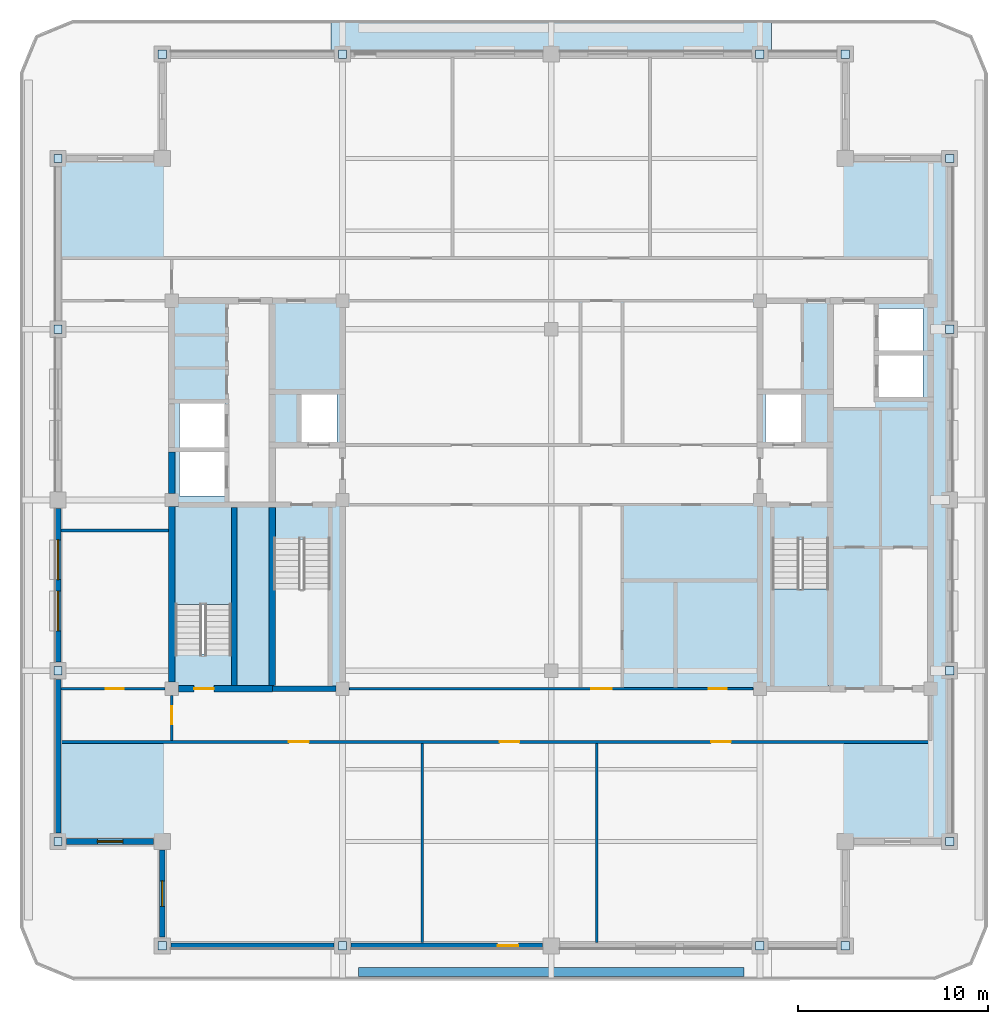
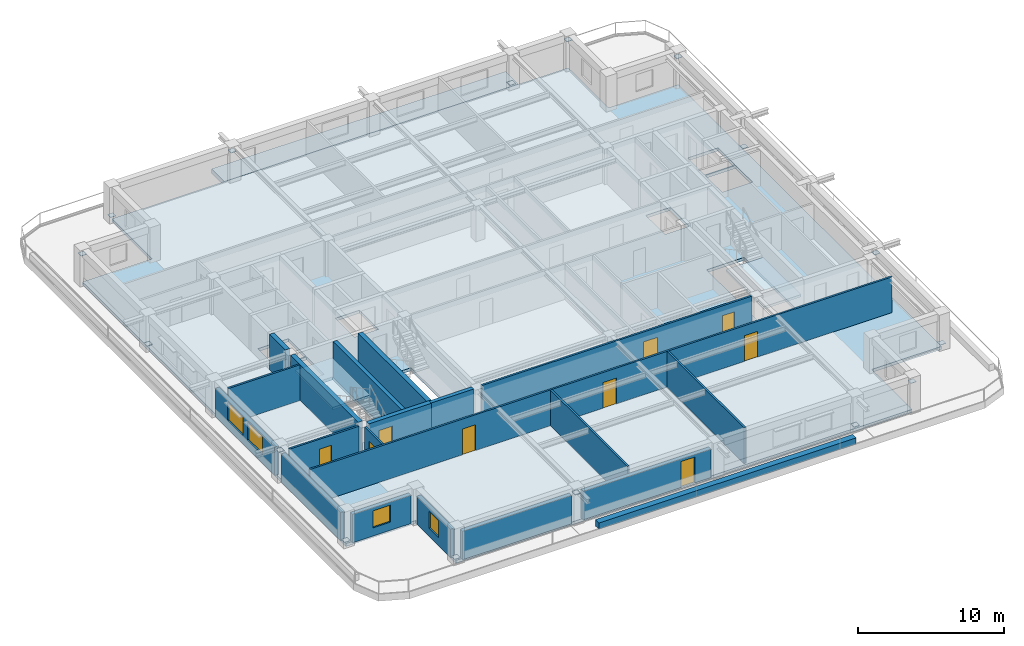
# One storey, part 2 of 11: 20 walls, 16 plates, 9 doors, 4 slabs, 4 windows, 13 openings, 2 elements without a shape of their own.
"""IFC4 building model written with IfcOpenShell, lengths in metres."""

from ifc_helpers import new_model, si_unit, direction, frame, frame_2d, origin, origin_2d, place, context, subcontext, project, spatial, polyline, rectangle, outline, extrude, material, layer, layer_set, type_object, element, fill, aggregate, save


model = new_model("IFC4")

# Units and contexts
model_context = context("Model", 3, precision=1e-05, world=origin(), true_north=direction((0.0, 1.0)))
body_context = subcontext(model_context, "Body", "Model", "MODEL_VIEW")
ifc_project = project(units=[si_unit("LENGTHUNIT", "METRE"), si_unit("AREAUNIT", "SQUARE_METRE"), si_unit("VOLUMEUNIT", "CUBIC_METRE"), si_unit("PLANEANGLEUNIT", "RADIAN"), si_unit("MASSUNIT", "GRAM", prefix="KILO")], contexts=[model_context])

# Site, building, storey
site_placement = place(None, origin())
site = spatial("IfcSite", under=ifc_project, at=site_placement, CompositionType="ELEMENT")
building_placement = place(site_placement, origin())
building = spatial("IfcBuilding", under=site, at=building_placement, Name="Zulmaris Gate Convention Tower", CompositionType="ELEMENT")
storey_placement = place(building_placement, frame((0.0, 0.0, 257.659912109375)))
storey = spatial("IfcBuildingStorey", under=building, at=storey_placement, Name="L68", CompositionType="ELEMENT", Elevation=257.659912109375)

# Plates
ifc_material_1 = material(Name="Steel S460", Category="steel")
ifc_layer_1 = layer(ifc_material_1, 0.02490234375, Name="Steel S460")
ifc_layer_set_1 = layer_set([ifc_layer_1], Name="Steel S460")
plate_type = type_object("IfcPlateType", Name="NP-CAP-440", PredefinedType="USERDEFINED", material=ifc_layer_set_1)
for number, where, z_axis, x_axis, name in (
    (1, (-26.0, -18.0, 0.28759765625), (0.0, 0.0, 1.0), (1.0, 0.0, 0.0), "L68 Steel Node Plate PBR-L68-SW-W-CAP"),
    (2, (-26.0, -9.0, 2.34765625), (0.0, 0.0, 1.0), (1.0, 0.0, 0.0), "L68 Steel Node Plate PBR-L68-SW-W-CAPB"),
    (3, (-26.0, 9.0, 0.28759765625), (0.0, 0.0, 1.0), (1.0, 0.0, 0.0), "L68 Steel Node Plate PBR-L68-NW-W-CAP"),
    (4, (-26.0, 18.0, 2.34765625), (0.0, 0.0, 1.0), (1.0, 0.0, 0.0), "L68 Steel Node Plate PBR-L68-NW-W-CAPB"),
    (5, (21.0, -18.0, 0.28759765625), (0.0, 0.0, 1.0), (1.0, 0.0, 0.0), "L68 Steel Node Plate PBR-L68-SE-E-CAP"),
    (6, (21.0, -9.0, 2.34765625), (0.0, 0.0, 1.0), (1.0, 0.0, 0.0), "L68 Steel Node Plate PBR-L68-SE-E-CAPB"),
    (7, (21.0, 9.0, 0.28759765625), (0.0, 0.0, 1.0), (1.0, 0.0, 0.0), "L68 Steel Node Plate PBR-L68-NE-E-CAP"),
    (8, (21.0, 18.0, 2.34765625), (0.0, 0.0, 1.0), (1.0, 0.0, 0.0), "L68 Steel Node Plate PBR-L68-NE-E-CAPB"),
    (9, (-20.5, -23.5, 0.28759765625), (0.0, 0.0, 1.0), (1.0, 0.0, 0.0), "L68 Steel Node Plate PBR-L68-SW-S-CAP"),
    (10, (-11.0, -23.5, 2.34765625), (0.0, 0.0, 1.0), (1.0, 0.0, 0.0), "L68 Steel Node Plate PBR-L68-SW-S-CAPB"),
    (11, (11.0, -23.5, 0.28759765625), (0.0, 0.0, 1.0), (1.0, 0.0, 0.0), "L68 Steel Node Plate PBR-L68-SE-S-CAP"),
    (12, (15.5, -23.5, 2.34765625), (0.0, 0.0, 1.0), (1.0, 0.0, 0.0), "L68 Steel Node Plate PBR-L68-SE-S-CAPB"),
    (13, (-20.5, 23.5, 0.28759765625), (0.0, 0.0, 1.0), (1.0, 0.0, 0.0), "L68 Steel Node Plate PBR-L68-NW-N-CAP"),
    (14, (-11.0, 23.5, 2.34765625), (0.0, 0.0, 1.0), (1.0, 0.0, 0.0), "L68 Steel Node Plate PBR-L68-NW-N-CAPB"),
    (15, (11.0, 23.5, 0.28759765625), (0.0, 0.0, 1.0), (1.0, 0.0, 0.0), "L68 Steel Node Plate PBR-L68-NE-N-CAP"),
    (16, (15.5, 23.5, 2.34765625), (0.0, 0.0, 1.0), (1.0, 0.0, 0.0), "L68 Steel Node Plate PBR-L68-NE-N-CAPB"),
):
    element("IfcPlate", number, at=place(storey_placement, frame(where, z_axis=z_axis, x_axis=x_axis)), inside=storey, type_object=plate_type, Name=name, ObjectType="FLANGE PLATE", PredefinedType="USERDEFINED", context=body_context, shape_type="SweptSolid", body=[
        extrude(rectangle(XDim=0.43994140625, YDim=0.43994140625, at=origin_2d()), origin(), (0.0, 0.0, 1.0), 0.02490234375),
    ])

# Slabs
ifc_material_2 = material(Name="Precast concrete C50/60", Category="concrete")
ifc_layer_2 = layer(ifc_material_2, 0.260009765625, Name="Precast concrete C50/60")
ifc_layer_set_2 = layer_set([ifc_layer_2], Name="Precast concrete C50/60")
slab_type_1 = type_object("IfcSlabType", Name="SL-BAL-260", PredefinedType="FLOOR", material=ifc_layer_set_2)
slab_1_placement = place(storey_placement, frame((0.0, 0.0, -0.425048828125)))
element("IfcSlab", 17, at=slab_1_placement, inside=storey, type_object=slab_type_1, Name="L68 North Tree-Balcony Planter Slab", PredefinedType="FLOOR", context=body_context, shape_type="SweptSolid", body=[
    extrude(outline(polyline([(11.597900390625, 25.300048828125), (11.597900390625, 23.5), (-11.597900390625, 23.5), (-11.597900390625, 25.300048828125), (11.597900390625, 25.300048828125)])), origin(), (0.0, 0.0, 1.0), 0.385009765625),
])
ifc_material_3 = material(Name="Concrete C50/60", Category="concrete")
ifc_layer_3 = layer(ifc_material_3, 0.25, Name="Concrete C50/60")
ifc_layer_set_3 = layer_set([ifc_layer_3], Name="Concrete C50/60")
slab_type_2 = type_object("IfcSlabType", Name="SL-FLR-250", PredefinedType="FLOOR", material=ifc_layer_set_3)
slab_2_placement = place(storey_placement, frame((0.0, 0.0, -0.25)))
element("IfcSlab", 18, at=slab_2_placement, inside=storey, type_object=slab_type_2, Name="L68 Shifted Notched-Square Structural Floor Slab", PredefinedType="FLOOR", context=body_context, shape_type="SweptSolid", body=[
    extrude(outline(polyline([(-20.5, -23.5), (15.5, -23.5), (15.5, -18.0), (21.0, -18.0), (21.0, 18.0), (15.5, 18.0), (15.5, 23.5), (-20.5, 23.5), (-20.5, 18.0), (-26.0, 18.0), (-26.0, -18.0), (-20.5, -18.0), (-20.5, -23.5)]), holes=[polyline([(-14.6201171875, -2.080078125), (-14.6201171875, -9.85009765625), (-11.659912109375, -9.85009765625), (-11.659912109375, -2.080078125), (-14.6201171875, -2.080078125)]), polyline([(11.659912109375, -2.080078125), (11.659912109375, -9.85009765625), (14.6201171875, -9.85009765625), (14.6201171875, -2.080078125), (11.659912109375, -2.080078125)]), polyline([(-16.860107421875, -8.1201171875), (-16.860107421875, -0.35009765625), (-19.820068359375, -0.35009765625), (-19.820068359375, -8.1201171875), (-16.860107421875, -8.1201171875)]), polyline([(-13.199951171875, 3.0), (-11.300048828125, 3.0), (-11.300048828125, 5.60009765625), (-13.199951171875, 5.60009765625), (-13.199951171875, 3.0)]), polyline([(11.300048828125, 3.0), (13.199951171875, 3.0), (13.199951171875, 5.60009765625), (11.300048828125, 5.60009765625), (11.300048828125, 3.0)]), polyline([(17.199951171875, 5.39990234375), (19.60009765625, 5.39990234375), (19.60009765625, 7.699951171875), (17.199951171875, 7.699951171875), (17.199951171875, 5.39990234375)]), polyline([(17.199951171875, 7.800048828125), (19.60009765625, 7.800048828125), (19.60009765625, 10.10009765625), (17.199951171875, 10.10009765625), (17.199951171875, 7.800048828125)]), polyline([(-19.60009765625, 0.199951171875), (-17.199951171875, 0.199951171875), (-17.199951171875, 2.60009765625), (-19.60009765625, 2.60009765625), (-19.60009765625, 0.199951171875)]), polyline([(-19.60009765625, 2.699951171875), (-17.199951171875, 2.699951171875), (-17.199951171875, 5.10009765625), (-19.60009765625, 5.10009765625), (-19.60009765625, 2.699951171875)])]), origin(), (0.0, 0.0, 1.0), 0.25),
])

# Stair, slab
ifc_material_4 = material(Name="Concrete C45/55", Category="concrete")
stair_type = type_object("IfcStairType", Name="ST-CORE-DOGLEG", PredefinedType="HALF_TURN_STAIR", material=ifc_material_4)
stair_1_placement = place(storey_placement, origin())
stair_1 = element("IfcStair", 19, at=stair_1_placement, inside=storey, type_object=stair_type, Name="L68 Core Exit Stair ST-2", PredefinedType="HALF_TURN_STAIR")
ifc_layer_4 = layer(ifc_material_4, 0.199951171875, Name="Concrete C45/55")
ifc_layer_set_4 = layer_set([ifc_layer_4], Name="Concrete C45/55")
slab_type_3 = type_object("IfcSlabType", Name="SL-LND-200", PredefinedType="LANDING", material=ifc_layer_set_4)
slab_3_placement = place(storey_placement, frame((0.0, 0.0, 1.4150390625)))
slab_3 = element("IfcSlab", 20, at=slab_3_placement, type_object=slab_type_3, Name="ST-2 landing 1", PredefinedType="LANDING", context=body_context, shape_type="SweptSolid", body=[
    extrude(outline(polyline([(11.659912109375, -4.699951171875), (11.659912109375, -9.85009765625), (14.6201171875, -9.85009765625), (14.6201171875, -4.699951171875), (11.659912109375, -4.699951171875)])), origin(), (0.0, 0.0, 1.0), 0.199951171875),
])
aggregate(stair_1, [slab_3])

stair_2_placement = place(storey_placement, origin())
stair_2 = element("IfcStair", 21, at=stair_2_placement, inside=storey, type_object=stair_type, Name="L68 Core Exit Stair ST-3", PredefinedType="HALF_TURN_STAIR")
slab_4_placement = place(storey_placement, frame((0.0, 0.0, 1.4150390625)))
slab_4 = element("IfcSlab", 22, at=slab_4_placement, type_object=slab_type_3, Name="ST-3 landing 1", PredefinedType="LANDING", context=body_context, shape_type="SweptSolid", body=[
    extrude(outline(polyline([(-16.860107421875, -5.5), (-16.860107421875, -0.35009765625), (-19.820068359375, -0.35009765625), (-19.820068359375, -5.5), (-16.860107421875, -5.5)])), origin(), (0.0, 0.0, 1.0), 0.199951171875),
])
aggregate(stair_2, [slab_4])

# Walls
ifc_layer_5 = layer(ifc_material_3, 0.300048828125, Name="Concrete C50/60")
ifc_layer_set_5 = layer_set([ifc_layer_5], Name="Concrete C50/60")
wall_type_1 = type_object("IfcWallType", Name="CORE-300", PredefinedType="SHEAR", material=ifc_layer_set_5)
wall_1_placement = place(storey_placement, frame((-14.699951171875, -9.949951171875, 0.0), z_axis=(0.0, 0.0, 1.0), x_axis=(1.0, 0.0, 0.0)))
element("IfcWall", 23, at=wall_1_placement, inside=storey, type_object=wall_type_1, Name="WL-L68-002", PredefinedType="SHEAR", context=body_context, shape_type="SweptSolid", body=[
    extrude(rectangle(XDim=3.345947265625, YDim=0.300048828125, at=frame_2d((1.6728515625, 0.0))), origin(), (0.0, 0.0, 1.0), 2.97998046875),
])
wall_2_placement = place(storey_placement, frame((-16.699951171875, -9.77294921875, 0.0), z_axis=(0.0, 0.0, 1.0), x_axis=(0.0, 1.0, 0.0)))
element("IfcWall", 24, at=wall_2_placement, inside=storey, type_object=wall_type_1, Name="WL-L68-039", PredefinedType="SHEAR", context=body_context, shape_type="SweptSolid", body=[
    extrude(rectangle(XDim=9.370849609375, YDim=0.300048828125, at=frame_2d((4.685546875, 0.0))), origin(), (0.0, 0.0, 1.0), 2.97998046875),
])

# Wall, opening, door
ifc_material_5 = material(Name="Concrete C55/67", Category="concrete")
ifc_layer_6 = layer(ifc_material_5, 0.35009765625, Name="Concrete C55/67")
ifc_layer_set_6 = layer_set([ifc_layer_6], Name="Concrete C55/67")
wall_type_2 = type_object("IfcWallType", Name="CORE-350", PredefinedType="SHEAR", material=ifc_layer_set_6)
wall_3_placement = place(storey_placement, frame((-19.64599609375, -9.949951171875, 0.0), z_axis=(0.0, 0.0, 1.0), x_axis=(1.0, 0.0, 0.0)))
wall_3 = element("IfcWall", 25, at=wall_3_placement, inside=storey, type_object=wall_type_2, Name="WL-L68-001", PredefinedType="SHEAR", context=body_context, shape_type="SweptSolid", body=[
    extrude(rectangle(XDim=4.946044921875, YDim=0.35009765625, at=frame_2d((2.47314453125, 0.0))), origin(), (0.0, 0.0, 1.0), 2.97998046875),
])
opening_1_placement = place(wall_3_placement, frame((0.821044921875, 0.0, 0.0)))
opening_1 = element("IfcOpeningElement", 26, at=opening_1_placement, cuts=wall_3, Name="Opening D-09", PredefinedType="OPENING", context=body_context, shape_type="SweptSolid", body=[
    extrude(rectangle(XDim=1.050048828125, YDim=2.14990234375, at=frame_2d((0.52490234375, 1.074951171875))), frame((0.0, 0.18505859375, 0.0), z_axis=(0.0, -1.0, 0.0), x_axis=(1.0, 0.0, 0.0)), (0.0, 0.0, 1.0), 0.3701171875),
])
ifc_material_6 = material(Name="Fire-Rated Steel", Category="steel")
door_type_1 = type_object("IfcDoorType", Name="DR-1050-FD", OperationType="NOTDEFINED", PredefinedType="DOOR", material=ifc_material_6)
door_1_placement = place(opening_1_placement, origin())
door_1 = element("IfcDoor", 27, at=door_1_placement, inside=storey, type_object=door_type_1, Name="L68 Exit Stair ST-3 Door 10", OperationType="SINGLE_SWING_RIGHT", OverallHeight=2.14990234375, OverallWidth=1.050048828125, PredefinedType="DOOR", context=body_context, shape_type="SweptSolid", body=[
    extrude(rectangle(XDim=1.050048828125, YDim=2.14990234375, at=frame_2d((0.52490234375, 1.074951171875))), frame((0.0, 0.02490234375, 0.0), z_axis=(0.0, -1.0, 0.0), x_axis=(1.0, 0.0, 0.0)), (0.0, 0.0, 1.0), 0.050048828125),
])
fill(opening_1, door_1)

# Walls
wall_4_placement = place(storey_placement, frame((-20.0, -9.595947265625, 0.0), z_axis=(0.0, 0.0, 1.0), x_axis=(0.0, 1.0, 0.0)))
element("IfcWall", 28, at=wall_4_placement, inside=storey, type_object=wall_type_2, Name="WL-L68-033", PredefinedType="SHEAR", context=body_context, shape_type="SweptSolid", body=[
    extrude(rectangle(XDim=9.241943359375, YDim=0.35009765625, at=frame_2d((4.62109375, 0.0))), origin(), (0.0, 0.0, 1.0), 2.97998046875),
])
wall_5_placement = place(storey_placement, frame((-20.0, 0.35400390625, 0.0), z_axis=(0.0, 0.0, 1.0), x_axis=(0.0, 1.0, 0.0)))
element("IfcWall", 29, at=wall_5_placement, inside=storey, type_object=wall_type_2, Name="WL-L68-034", PredefinedType="SHEAR", context=body_context, shape_type="SweptSolid", body=[
    extrude(rectangle(XDim=2.1689453125, YDim=0.35009765625, at=frame_2d((1.08447265625, 0.0))), origin(), (0.0, 0.0, 1.0), 2.97998046875),
])
wall_6_placement = place(storey_placement, frame((-14.699951171875, -9.77294921875, 0.0), z_axis=(0.0, 0.0, 1.0), x_axis=(0.0, 1.0, 0.0)))
element("IfcWall", 30, at=wall_6_placement, inside=storey, type_object=wall_type_2, Name="WL-L68-040", PredefinedType="SHEAR", context=body_context, shape_type="SweptSolid", body=[
    extrude(rectangle(XDim=9.370849609375, YDim=0.35009765625, at=frame_2d((4.685546875, 0.0))), origin(), (0.0, 0.0, 1.0), 2.97998046875),
])

# Wall, openings, doors
ifc_material_7 = material(Name="Gypsum Metal Stud Partition")
ifc_layer_7 = layer(ifc_material_7, 0.14990234375, Name="Gypsum Metal Stud Partition")
ifc_layer_set_7 = layer_set([ifc_layer_7], Name="Gypsum Metal Stud Partition")
wall_type_3 = type_object("IfcWallType", Name="PART-150", PredefinedType="PARTITIONING", material=ifc_layer_set_7)
wall_7_placement = place(storey_placement, frame((-25.8349609375, -12.75, 0.0), z_axis=(0.0, 0.0, 1.0), x_axis=(1.0, 0.0, 0.0)))
wall_7 = element("IfcWall", 31, at=wall_7_placement, inside=storey, type_object=wall_type_3, Name="WL-L68-019", PredefinedType="PARTITIONING", context=body_context, shape_type="SweptSolid", body=[
    extrude(rectangle(XDim=45.909912109375, YDim=0.14990234375, at=frame_2d((22.955078125, 0.0))), origin(), (0.0, 0.0, 1.0), 2.97998046875),
])
opening_2_placement = place(wall_7_placement, frame((12.010009765625, 0.0, 0.0)))
opening_2 = element("IfcOpeningElement", 32, at=opening_2_placement, cuts=wall_7, Name="Opening D-09", PredefinedType="OPENING", context=body_context, shape_type="SweptSolid", body=[
    extrude(rectangle(XDim=1.050048828125, YDim=2.14990234375, at=frame_2d((0.52490234375, 1.074951171875))), frame((0.0, 0.0849609375, 0.0), z_axis=(0.0, -1.0, 0.0), x_axis=(1.0, 0.0, 0.0)), (0.0, 0.0, 1.0), 0.169921875),
])
opening_3_placement = place(wall_7_placement, frame((23.110107421875, 0.0, 0.0)))
opening_3 = element("IfcOpeningElement", 33, at=opening_3_placement, cuts=wall_7, Name="Opening D-09", PredefinedType="OPENING", context=body_context, shape_type="SweptSolid", body=[
    extrude(rectangle(XDim=1.050048828125, YDim=2.14990234375, at=frame_2d((0.52490234375, 1.074951171875))), frame((0.0, 0.0849609375, 0.0), z_axis=(0.0, -1.0, 0.0), x_axis=(1.0, 0.0, 0.0)), (0.0, 0.0, 1.0), 0.169921875),
])
opening_4_placement = place(wall_7_placement, frame((34.260009765625, 0.0, 0.0)))
opening_4 = element("IfcOpeningElement", 34, at=opening_4_placement, cuts=wall_7, Name="Opening D-09", PredefinedType="OPENING", context=body_context, shape_type="SweptSolid", body=[
    extrude(rectangle(XDim=1.050048828125, YDim=2.14990234375, at=frame_2d((0.52490234375, 1.074951171875))), frame((0.0, 0.0849609375, 0.0), z_axis=(0.0, -1.0, 0.0), x_axis=(1.0, 0.0, 0.0)), (0.0, 0.0, 1.0), 0.169921875),
])
door_2_placement = place(opening_2_placement, origin())
door_2 = element("IfcDoor", 35, at=door_2_placement, inside=storey, type_object=door_type_1, Name="L68 Delegate Business Lounge Door 31", OperationType="SINGLE_SWING_LEFT", OverallHeight=2.14990234375, OverallWidth=1.050048828125, PredefinedType="DOOR", context=body_context, shape_type="SweptSolid", body=[
    extrude(rectangle(XDim=1.050048828125, YDim=2.14990234375, at=frame_2d((0.52490234375, 1.074951171875))), frame((0.0, 0.02490234375, 0.0), z_axis=(0.0, -1.0, 0.0), x_axis=(1.0, 0.0, 0.0)), (0.0, 0.0, 1.0), 0.050048828125),
])
fill(opening_2, door_2)
door_3_placement = place(opening_3_placement, origin())
door_3 = element("IfcDoor", 36, at=door_3_placement, inside=storey, type_object=door_type_1, Name="L68 Commercial Advisory Office Door 32", OperationType="SINGLE_SWING_RIGHT", OverallHeight=2.14990234375, OverallWidth=1.050048828125, PredefinedType="DOOR", context=body_context, shape_type="SweptSolid", body=[
    extrude(rectangle(XDim=1.050048828125, YDim=2.14990234375, at=frame_2d((0.52490234375, 1.074951171875))), frame((0.0, 0.02490234375, 0.0), z_axis=(0.0, -1.0, 0.0), x_axis=(1.0, 0.0, 0.0)), (0.0, 0.0, 1.0), 0.050048828125),
])
fill(opening_3, door_3)
door_4_placement = place(opening_4_placement, origin())
door_4 = element("IfcDoor", 37, at=door_4_placement, inside=storey, type_object=door_type_1, Name="L68 Regional Corporate Office Door 33", OperationType="SINGLE_SWING_LEFT", OverallHeight=2.14990234375, OverallWidth=1.050048828125, PredefinedType="DOOR", context=body_context, shape_type="SweptSolid", body=[
    extrude(rectangle(XDim=1.050048828125, YDim=2.14990234375, at=frame_2d((0.52490234375, 1.074951171875))), frame((0.0, 0.02490234375, 0.0), z_axis=(0.0, -1.0, 0.0), x_axis=(1.0, 0.0, 0.0)), (0.0, 0.0, 1.0), 0.050048828125),
])
fill(opening_4, door_4)

# Wall, opening, door
wall_8_placement = place(storey_placement, frame((-25.8349609375, -9.949951171875, 0.0), z_axis=(0.0, 0.0, 1.0), x_axis=(1.0, 0.0, 0.0)))
wall_8 = element("IfcWall", 38, at=wall_8_placement, inside=storey, type_object=wall_type_3, Name="WL-L68-020", PredefinedType="PARTITIONING", context=body_context, shape_type="SweptSolid", body=[
    extrude(rectangle(XDim=5.47900390625, YDim=0.14990234375, at=frame_2d((2.739501953125, 0.0))), origin(), (0.0, 0.0, 1.0), 2.97998046875),
])
opening_5_placement = place(wall_8_placement, frame((2.360107421875, 0.0, 0.0)))
opening_5 = element("IfcOpeningElement", 39, at=opening_5_placement, cuts=wall_8, Name="Opening D-11", PredefinedType="OPENING", context=body_context, shape_type="SweptSolid", body=[
    extrude(rectangle(XDim=0.949951171875, YDim=2.14990234375, at=frame_2d((0.47509765625, 1.074951171875))), frame((0.0, 0.0849609375, 0.0), z_axis=(0.0, -1.0, 0.0), x_axis=(1.0, 0.0, 0.0)), (0.0, 0.0, 1.0), 0.169921875),
])
ifc_material_8 = material(Name="Fire-Rated Timber", Category="wood")
door_type_2 = type_object("IfcDoorType", Name="DR-950-FD", OperationType="NOTDEFINED", PredefinedType="DOOR", material=ifc_material_8)
door_5_placement = place(opening_5_placement, origin())
door_5 = element("IfcDoor", 40, at=door_5_placement, inside=storey, type_object=door_type_2, Name="L68 SW Partner Door 43", OperationType="SINGLE_SWING_LEFT", OverallHeight=2.14990234375, OverallWidth=0.949951171875, PredefinedType="DOOR", context=body_context, shape_type="SweptSolid", body=[
    extrude(rectangle(XDim=0.949951171875, YDim=2.14990234375, at=frame_2d((0.47509765625, 1.074951171875))), frame((0.0, 0.02490234375, 0.0), z_axis=(0.0, -1.0, 0.0), x_axis=(1.0, 0.0, 0.0)), (0.0, 0.0, 1.0), 0.050048828125),
])
fill(opening_5, door_5)

# Wall, openings, doors
wall_9_placement = place(storey_placement, frame((-10.64404296875, -9.949951171875, 0.0), z_axis=(0.0, 0.0, 1.0), x_axis=(1.0, 0.0, 0.0)))
wall_9 = element("IfcWall", 41, at=wall_9_placement, inside=storey, type_object=wall_type_3, Name="WL-L68-021", PredefinedType="PARTITIONING", context=body_context, shape_type="SweptSolid", body=[
    extrude(rectangle(XDim=21.2880859375, YDim=0.14990234375, at=frame_2d((10.64404296875, 0.0))), origin(), (0.0, 0.0, 1.0), 2.97998046875),
])
opening_6_placement = place(wall_9_placement, frame((12.743896484375, 0.0, 0.0)))
opening_6 = element("IfcOpeningElement", 42, at=opening_6_placement, cuts=wall_9, Name="Opening D-08", PredefinedType="OPENING", context=body_context, shape_type="SweptSolid", body=[
    extrude(rectangle(XDim=1.10009765625, YDim=2.14990234375, at=frame_2d((0.550048828125, 1.074951171875))), frame((0.0, 0.0849609375, 0.0), z_axis=(0.0, -1.0, 0.0), x_axis=(1.0, 0.0, 0.0)), (0.0, 0.0, 1.0), 0.169921875),
])
opening_7_placement = place(wall_9_placement, frame((18.948974609375, 0.0, 0.0)))
opening_7 = element("IfcOpeningElement", 43, at=opening_7_placement, cuts=wall_9, Name="Opening D-11", PredefinedType="OPENING", context=body_context, shape_type="SweptSolid", body=[
    extrude(rectangle(XDim=0.949951171875, YDim=2.14990234375, at=frame_2d((0.47509765625, 1.074951171875))), frame((0.0, 0.0849609375, 0.0), z_axis=(0.0, -1.0, 0.0), x_axis=(1.0, 0.0, 0.0)), (0.0, 0.0, 1.0), 0.169921875),
])
door_type_3 = type_object("IfcDoorType", Name="DR-1100-FD", OperationType="NOTDEFINED", PredefinedType="DOOR", material=ifc_material_6)
door_6_placement = place(opening_6_placement, origin())
door_6 = element("IfcDoor", 44, at=door_6_placement, inside=storey, type_object=door_type_3, Name="L68 Exec South Link Door 25", OperationType="SINGLE_SWING_LEFT", OverallHeight=2.14990234375, OverallWidth=1.10009765625, PredefinedType="DOOR", context=body_context, shape_type="SweptSolid", body=[
    extrude(rectangle(XDim=1.10009765625, YDim=2.14990234375, at=frame_2d((0.550048828125, 1.074951171875))), frame((0.0, 0.02490234375, 0.0), z_axis=(0.0, -1.0, 0.0), x_axis=(1.0, 0.0, 0.0)), (0.0, 0.0, 1.0), 0.050048828125),
])
fill(opening_6, door_6)
door_7_placement = place(opening_7_placement, origin())
door_7 = element("IfcDoor", 45, at=door_7_placement, inside=storey, type_object=door_type_2, Name="L68 Vault Store Door 39", OperationType="SINGLE_SWING_LEFT", OverallHeight=2.14990234375, OverallWidth=0.949951171875, PredefinedType="DOOR", context=body_context, shape_type="SweptSolid", body=[
    extrude(rectangle(XDim=0.949951171875, YDim=2.14990234375, at=frame_2d((0.47509765625, 1.074951171875))), frame((0.0, 0.02490234375, 0.0), z_axis=(0.0, -1.0, 0.0), x_axis=(1.0, 0.0, 0.0)), (0.0, 0.0, 1.0), 0.050048828125),
])
fill(opening_7, door_7)

# Wall
wall_10_placement = place(storey_placement, frame((-25.8349609375, -1.60009765625, 0.0), z_axis=(0.0, 0.0, 1.0), x_axis=(1.0, 0.0, 0.0)))
element("IfcWall", 46, at=wall_10_placement, inside=storey, type_object=wall_type_3, Name="WL-L68-024", PredefinedType="PARTITIONING", context=body_context, shape_type="SweptSolid", body=[
    extrude(rectangle(XDim=5.656982421875, YDim=0.14990234375, at=frame_2d((2.82861328125, 0.0))), origin(), (0.0, 0.0, 1.0), 2.97998046875),
])

# Wall, opening, door
wall_11_placement = place(storey_placement, frame((-20.0, -12.672119140625, 0.0), z_axis=(0.0, 0.0, 1.0), x_axis=(0.0, 1.0, 0.0)))
wall_11 = element("IfcWall", 47, at=wall_11_placement, inside=storey, type_object=wall_type_3, Name="WL-L68-065", PredefinedType="PARTITIONING", context=body_context, shape_type="SweptSolid", body=[
    extrude(rectangle(XDim=2.3662109375, YDim=0.14990234375, at=frame_2d((1.18310546875, 0.0))), origin(), (0.0, 0.0, 1.0), 2.97998046875),
])
opening_8_placement = place(wall_11_placement, frame((0.846923828125, 0.0, 0.0)))
opening_8 = element("IfcOpeningElement", 48, at=opening_8_placement, cuts=wall_11, Name="Opening D-11", PredefinedType="OPENING", context=body_context, shape_type="SweptSolid", body=[
    extrude(rectangle(XDim=0.949951171875, YDim=2.14990234375, at=frame_2d((0.47509765625, 1.074951171875))), frame((0.0, 0.0849609375, 0.0), z_axis=(0.0, -1.0, 0.0), x_axis=(1.0, 0.0, 0.0)), (0.0, 0.0, 1.0), 0.169921875),
])
door_8_placement = place(opening_8_placement, origin())
door_8 = element("IfcDoor", 49, at=door_8_placement, inside=storey, type_object=door_type_2, Name="L68 SW Spur Door 41", OperationType="SINGLE_SWING_LEFT", OverallHeight=2.14990234375, OverallWidth=0.949951171875, PredefinedType="DOOR", context=body_context, shape_type="SweptSolid", body=[
    extrude(rectangle(XDim=0.949951171875, YDim=2.14990234375, at=frame_2d((0.47509765625, 1.074951171875))), frame((0.0, 0.02490234375, 0.0), z_axis=(0.0, -1.0, 0.0), x_axis=(1.0, 0.0, 0.0)), (0.0, 0.0, 1.0), 0.050048828125),
])
fill(opening_8, door_8)

# Walls
for number, where, z_axis, x_axis, name in (
    (50, (-6.800048828125, -23.3349609375, 0.0), (0.0, 0.0, 1.0), (0.0, 1.0, 0.0), "WL-L68-070"),
    (51, (2.39990234375, -23.3349609375, 0.0), (0.0, 0.0, 1.0), (0.0, 1.0, 0.0), "WL-L68-074"),
):
    element("IfcWall", number, at=place(storey_placement, frame(where, z_axis=z_axis, x_axis=x_axis)), inside=storey, type_object=wall_type_3, Name=name, PredefinedType="PARTITIONING", context=body_context, shape_type="SweptSolid", body=[
        extrude(rectangle(XDim=10.507080078125, YDim=0.14990234375, at=frame_2d((5.25341796875, 0.0))), origin(), (0.0, 0.0, 1.0), 2.97998046875),
    ])
ifc_material_9 = material(Name="Botanical Green Glazed Precast Concrete C40/50", Category="concrete")
ifc_layer_8 = layer(ifc_material_9, 0.419921875, Name="Botanical Green Glazed Precast Concrete C40/50")
ifc_layer_set_8 = layer_set([ifc_layer_8], Name="Botanical Green Glazed Precast Concrete C40/50")
wall_type_4 = type_object("IfcWallType", Name="PLANTER-CURB-200", PredefinedType="PARAPET", material=ifc_layer_set_8)
wall_12_placement = place(storey_placement, frame((-10.14990234375, -24.8798828125, -0.0400390625), z_axis=(0.0, 0.0, 1.0), x_axis=(1.0, 0.0, 0.0)))
element("IfcWall", 52, at=wall_12_placement, inside=storey, type_object=wall_type_4, Name="L68 Full-Length Balcony Tree Planter Trough", PredefinedType="PARAPET", context=body_context, shape_type="SweptSolid", body=[
    extrude(rectangle(XDim=20.2998046875, YDim=0.47998046875, at=frame_2d((10.14990234375, 0.0))), origin(), (0.0, 0.0, 1.0), 0.52001953125),
])

# Wall, opening, window
ifc_material_10 = material(Name="Precast concrete C40/50", Category="concrete")
ifc_layer_9 = layer(ifc_material_10, 0.300048828125, Name="Precast concrete C40/50")
ifc_layer_set_9 = layer_set([ifc_layer_9], Name="Precast concrete C40/50")
wall_type_5 = type_object("IfcWallType", Name="PRECAST-PIER-300", PredefinedType="STANDARD", material=ifc_layer_set_9)
wall_13_placement = place(storey_placement, frame((-25.544921875, -18.0, 0.0), z_axis=(0.0, 0.0, 1.0), x_axis=(1.0, 0.0, 0.0)))
wall_13 = element("IfcWall", 53, at=wall_13_placement, inside=storey, type_object=wall_type_5, Name="EW-L68-NOTCH-SW1_0", PredefinedType="STANDARD", context=body_context, shape_type="SweptSolid", body=[
    extrude(rectangle(XDim=4.58984375, YDim=0.300048828125, at=frame_2d((2.294921875, 0.0))), origin(), (0.0, 0.0, 1.0), 2.3720703125),
])
opening_9_placement = place(wall_13_placement, frame((1.6201171875, 0.0, 0.679931640625)))
opening_9 = element("IfcOpeningElement", 54, at=opening_9_placement, cuts=wall_13, Name="Opening W-10", PredefinedType="OPENING", context=body_context, shape_type="SweptSolid", body=[
    extrude(rectangle(XDim=1.35009765625, YDim=1.419921875, at=frame_2d((0.675048828125, 0.7099609375))), frame((0.0, 0.16015625, 0.0), z_axis=(0.0, -1.0, 0.0), x_axis=(1.0, 0.0, 0.0)), (0.0, 0.0, 1.0), 0.320068359375),
])
ifc_material_11 = material(Name="Low-E Laminated Double Glazing in Aluminium Frame", Category="aluminium")
window_type_1 = type_object("IfcWindowType", Name="WIN-1350x2000", PartitioningType="SINGLE_PANEL", PredefinedType="WINDOW", material=ifc_material_11)
window_1_placement = place(opening_9_placement, origin())
window_1 = element("IfcWindow", 55, at=window_1_placement, inside=storey, type_object=window_type_1, Name="WN-EW-L68-NOTCH-SW1_0", OverallHeight=1.419921875, OverallWidth=1.35009765625, PartitioningType="SINGLE_PANEL", PredefinedType="WINDOW", context=body_context, shape_type="SweptSolid", body=[
    extrude(rectangle(XDim=1.35009765625, YDim=1.419921875, at=frame_2d((0.675048828125, 0.7099609375))), frame((0.0, 0.030029296875, 0.0), z_axis=(0.0, -1.0, 0.0), x_axis=(1.0, 0.0, 0.0)), (0.0, 0.0, 1.0), 0.06005859375),
])
fill(opening_9, window_1)

wall_14_placement = place(storey_placement, frame((-20.5, -18.455078125, 0.0), z_axis=(0.0, 0.0, 1.0), x_axis=(0.0, -1.0, 0.0)))
wall_14 = element("IfcWall", 56, at=wall_14_placement, inside=storey, type_object=wall_type_5, Name="EW-L68-NOTCH-SW2_0", PredefinedType="STANDARD", context=body_context, shape_type="SweptSolid", body=[
    extrude(rectangle(XDim=4.58984375, YDim=0.300048828125, at=frame_2d((2.294921875, 0.0))), origin(), (0.0, 0.0, 1.0), 2.3720703125),
])
opening_10_placement = place(wall_14_placement, frame((1.6201171875, 0.0, 0.679931640625)))
opening_10 = element("IfcOpeningElement", 57, at=opening_10_placement, cuts=wall_14, Name="Opening W-10", PredefinedType="OPENING", context=body_context, shape_type="SweptSolid", body=[
    extrude(rectangle(XDim=1.35009765625, YDim=1.419921875, at=frame_2d((0.675048828125, 0.7099609375))), frame((0.0, 0.16015625, 0.0), z_axis=(0.0, -1.0, 0.0), x_axis=(1.0, 0.0, 0.0)), (0.0, 0.0, 1.0), 0.320068359375),
])
window_2_placement = place(opening_10_placement, origin())
window_2 = element("IfcWindow", 58, at=window_2_placement, inside=storey, type_object=window_type_1, Name="WN-EW-L68-NOTCH-SW2_0", OverallHeight=1.419921875, OverallWidth=1.35009765625, PartitioningType="SINGLE_PANEL", PredefinedType="WINDOW", context=body_context, shape_type="SweptSolid", body=[
    extrude(rectangle(XDim=1.35009765625, YDim=1.419921875, at=frame_2d((0.675048828125, 0.7099609375))), frame((0.0, 0.030029296875, 0.0), z_axis=(0.0, -1.0, 0.0), x_axis=(1.0, 0.0, 0.0)), (0.0, 0.0, 1.0), 0.06005859375),
])
fill(opening_10, window_2)

# Wall
wall_15_placement = place(storey_placement, frame((-20.044921875, -23.5, 0.0), z_axis=(0.0, 0.0, 1.0), x_axis=(1.0, 0.0, 0.0)))
element("IfcWall", 59, at=wall_15_placement, inside=storey, type_object=wall_type_5, Name="EW-L68-S-0_0", PredefinedType="STANDARD", context=body_context, shape_type="SweptSolid", body=[
    extrude(rectangle(XDim=8.58984375, YDim=0.300048828125, at=frame_2d((4.294921875, 0.0))), origin(), (0.0, 0.0, 1.0), 2.3720703125),
])

# Wall, opening, door
wall_16_placement = place(storey_placement, frame((-10.544921875, -23.5, 0.0), z_axis=(0.0, 0.0, 1.0), x_axis=(1.0, 0.0, 0.0)))
wall_16 = element("IfcWall", 60, at=wall_16_placement, inside=storey, type_object=wall_type_5, Name="EW-L68-S-1_0", PredefinedType="STANDARD", context=body_context, shape_type="SweptSolid", body=[
    extrude(rectangle(XDim=10.08984375, YDim=0.300048828125, at=frame_2d((5.044921875, 0.0))), origin(), (0.0, 0.0, 1.0), 2.3720703125),
])
opening_11_placement = place(wall_16_placement, frame((7.716064453125, 0.0, 0.0)))
opening_11 = element("IfcOpeningElement", 61, at=opening_11_placement, cuts=wall_16, Name="Opening D-04", PredefinedType="OPENING", context=body_context, shape_type="SweptSolid", body=[
    extrude(rectangle(XDim=1.10009765625, YDim=2.14990234375, at=frame_2d((0.550048828125, 1.074951171875))), frame((0.0, 0.16015625, 0.0), z_axis=(0.0, -1.0, 0.0), x_axis=(1.0, 0.0, 0.0)), (0.0, 0.0, 1.0), 0.320068359375),
])
ifc_material_12 = material(Name="Anodised Aluminium and Laminated Glass", Category="aluminium")
door_type_4 = type_object("IfcDoorType", Name="ED-1100", OperationType="SINGLE_SWING_RIGHT", PredefinedType="DOOR", material=ifc_material_12)
door_9_placement = place(opening_11_placement, origin())
door_9 = element("IfcDoor", 62, at=door_9_placement, inside=storey, type_object=door_type_4, Name="L68 S Planted Terrace Door", OperationType="SINGLE_SWING_RIGHT", OverallHeight=2.14990234375, OverallWidth=1.10009765625, PredefinedType="DOOR", context=body_context, shape_type="SweptSolid", body=[
    extrude(rectangle(XDim=1.10009765625, YDim=2.14990234375, at=frame_2d((0.550048828125, 1.074951171875))), frame((0.0, 0.02490234375, 0.0), z_axis=(0.0, -1.0, 0.0), x_axis=(1.0, 0.0, 0.0)), (0.0, 0.0, 1.0), 0.050048828125),
])
fill(opening_11, door_9)

# Wall
wall_17_placement = place(storey_placement, frame((-26.0, -9.455078125, 0.0), z_axis=(0.0, 0.0, 1.0), x_axis=(0.0, -1.0, 0.0)))
element("IfcWall", 63, at=wall_17_placement, inside=storey, type_object=wall_type_5, Name="EW-L68-W-0_0", PredefinedType="STANDARD", context=body_context, shape_type="SweptSolid", body=[
    extrude(rectangle(XDim=8.08984375, YDim=0.300048828125, at=frame_2d((4.044921875, 0.0))), origin(), (0.0, 0.0, 1.0), 2.3720703125),
])

# Wall, openings, windows
wall_18_placement = place(storey_placement, frame((-26.0, -0.455078125, 0.0), z_axis=(0.0, 0.0, 1.0), x_axis=(0.0, -1.0, 0.0)))
wall_18 = element("IfcWall", 64, at=wall_18_placement, inside=storey, type_object=wall_type_5, Name="EW-L68-W-1_0", PredefinedType="STANDARD", context=body_context, shape_type="SweptSolid", body=[
    extrude(rectangle(XDim=8.08984375, YDim=0.300048828125, at=frame_2d((4.044921875, 0.0))), origin(), (0.0, 0.0, 1.0), 2.3720703125),
])
opening_12_placement = place(wall_18_placement, frame((1.64697265625, 0.0, 0.699951171875)))
opening_12 = element("IfcOpeningElement", 65, at=opening_12_placement, cuts=wall_18, Name="Opening W-05", PredefinedType="OPENING", context=body_context, shape_type="SweptSolid", body=[
    extrude(rectangle(XDim=2.10009765625, YDim=1.5, at=frame_2d((1.050048828125, 0.75))), frame((0.0, 0.16015625, 0.0), z_axis=(0.0, -1.0, 0.0), x_axis=(1.0, 0.0, 0.0)), (0.0, 0.0, 1.0), 0.320068359375),
])
opening_13_placement = place(wall_18_placement, frame((4.343017578125, 0.0, 0.699951171875)))
opening_13 = element("IfcOpeningElement", 66, at=opening_13_placement, cuts=wall_18, Name="Opening W-05", PredefinedType="OPENING", context=body_context, shape_type="SweptSolid", body=[
    extrude(rectangle(XDim=2.10009765625, YDim=1.5, at=frame_2d((1.050048828125, 0.75))), frame((0.0, 0.16015625, 0.0), z_axis=(0.0, -1.0, 0.0), x_axis=(1.0, 0.0, 0.0)), (0.0, 0.0, 1.0), 0.320068359375),
])
window_type_2 = type_object("IfcWindowType", Name="WIN-2100x2400", PartitioningType="SINGLE_PANEL", PredefinedType="WINDOW", material=ifc_material_11)
window_3_placement = place(opening_12_placement, origin())
window_3 = element("IfcWindow", 67, at=window_3_placement, inside=storey, type_object=window_type_2, Name="WN-EW-L68-W-1_0-1", OverallHeight=1.5, OverallWidth=2.10009765625, PartitioningType="SINGLE_PANEL", PredefinedType="WINDOW", context=body_context, shape_type="SweptSolid", body=[
    extrude(rectangle(XDim=2.10009765625, YDim=1.5, at=frame_2d((1.050048828125, 0.75))), frame((0.0, 0.030029296875, 0.0), z_axis=(0.0, -1.0, 0.0), x_axis=(1.0, 0.0, 0.0)), (0.0, 0.0, 1.0), 0.06005859375),
])
fill(opening_12, window_3)
window_4_placement = place(opening_13_placement, origin())
window_4 = element("IfcWindow", 68, at=window_4_placement, inside=storey, type_object=window_type_2, Name="WN-EW-L68-W-1_0-2", OverallHeight=1.5, OverallWidth=2.10009765625, PartitioningType="SINGLE_PANEL", PredefinedType="WINDOW", context=body_context, shape_type="SweptSolid", body=[
    extrude(rectangle(XDim=2.10009765625, YDim=1.5, at=frame_2d((1.050048828125, 0.75))), frame((0.0, 0.030029296875, 0.0), z_axis=(0.0, -1.0, 0.0), x_axis=(1.0, 0.0, 0.0)), (0.0, 0.0, 1.0), 0.06005859375),
])
fill(opening_13, window_4)

save(model, "model.ifc")
